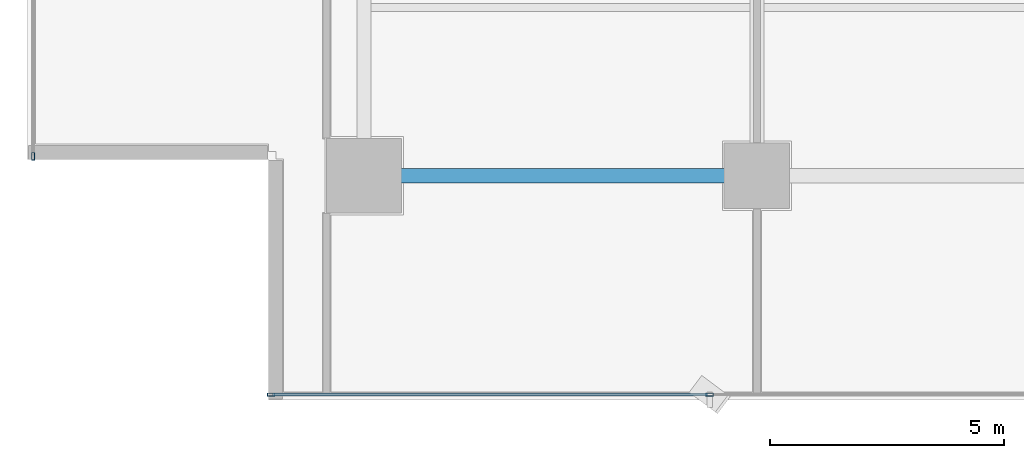
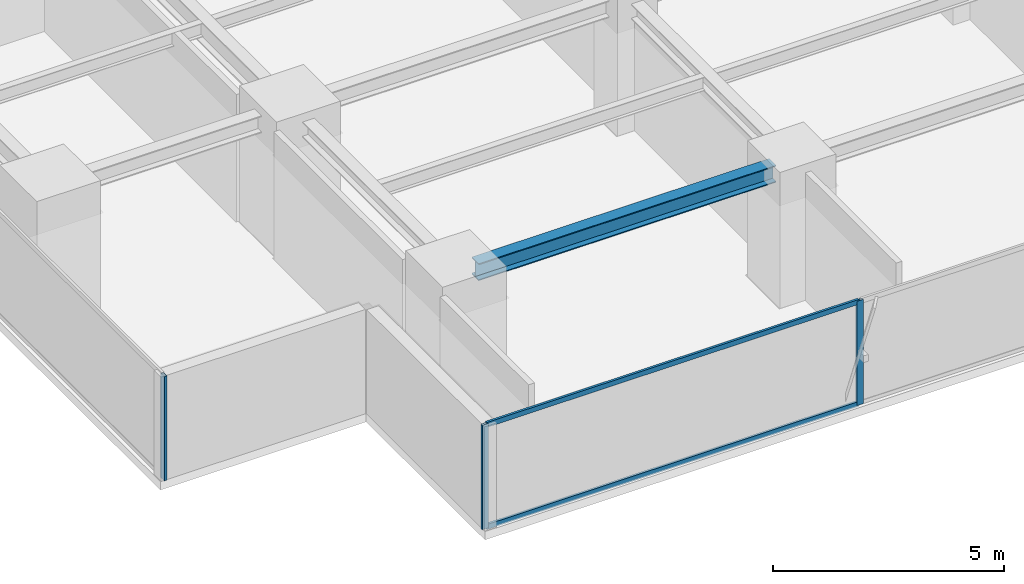
# One storey, part 2 of 28: 5 members, 1 beam, 2 elements without a shape of their own.
"""IFC4 building model written with IfcOpenShell, lengths in metres."""

from ifc_helpers import new_model, si_unit, direction, frame, origin, origin_2d, place, context, subcontext, project, spatial, hollow_rectangle, i_section, extrude, source, transform, mapped, material, layer, layer_set, material_profile, profile_set, type_object, element, aggregate, save


model = new_model("IFC4")

# Units and contexts
model_context = context("Model", 3, precision=1e-05, world=origin(), true_north=direction((0.0, 1.0)))
body_context = subcontext(model_context, "Body", "Model", "MODEL_VIEW")
ifc_project = project(units=[si_unit("LENGTHUNIT", "METRE"), si_unit("AREAUNIT", "SQUARE_METRE"), si_unit("VOLUMEUNIT", "CUBIC_METRE"), si_unit("PLANEANGLEUNIT", "RADIAN"), si_unit("MASSUNIT", "GRAM", prefix="KILO")], contexts=[model_context])

# Site, building, storey
site_placement = place(None, origin())
site = spatial("IfcSite", under=ifc_project, at=site_placement, CompositionType="ELEMENT")
building_placement = place(site_placement, origin())
building = spatial("IfcBuilding", under=site, at=building_placement, Name="Sumidabori Civic Tower", CompositionType="ELEMENT")
storey_placement = place(building_placement, frame((0.0, 0.0, 146.0)))
storey = spatial("IfcBuildingStorey", under=building, at=storey_placement, Name="L37", CompositionType="ELEMENT", Elevation=146.0)

# Beam
ifc_material_1 = material(Name="Steel SN490", Category="steel")
ifc_material_profile_1 = material_profile(ifc_material_1, i_section(OverallWidth=0.300048828125, OverallDepth=0.449951171875, WebThickness=0.013916015625, FlangeThickness=0.02587890625, at=origin_2d()), Name="HE 450 B")
ifc_profile_set_1 = profile_set([ifc_material_profile_1], Name="Steel SN490")
beam_type = type_object("IfcBeamType", Name="BM-GIRD-450", PredefinedType="BEAM", material=ifc_profile_set_1)
shared_shape_1 = source(origin(), body_context, "Body", "SweptSolid", [
    extrude(i_section(OverallWidth=0.300048828125, OverallDepth=0.449951171875, WebThickness=0.013916015625, FlangeThickness=0.02587890625, at=origin_2d()), origin(), (0.0, 0.0, 1.0), 7.440185546875),
])
beam_placement = place(storey_placement, frame((-16.320068359375, -18.0, 3.155029296875), z_axis=(1.0, 0.0, 0.0), x_axis=(0.0, 1.0, 0.0)))
element("IfcBeam", 1, at=beam_placement, inside=storey, type_object=beam_type, Name="Primary Girder L37 GX-01", PredefinedType="BEAM", context=body_context, shape_type="MappedRepresentation", body=[
    mapped(shared_shape_1, transform((0.0, 0.0, 0.0), x_axis=(1.0, 0.0, 0.0), y_axis=(0.0, 1.0, 0.0), z_axis=(0.0, 0.0, 1.0), scale=1.0)),
])

# Curtain wall, members
ifc_material_2 = material(Name="Anodised Bronze Aluminium AW-6063-T6", Category="aluminium")
ifc_layer = layer(ifc_material_2, 0.179931640625, Name="Anodised Bronze Aluminium AW-6063-T6")
ifc_layer_set = layer_set([ifc_layer], Name="Anodised Bronze Aluminium AW-6063-T6")
curtain_wall_type = type_object("IfcCurtainWallType", Name="CW-SYS-3", PredefinedType="NOTDEFINED", material=ifc_layer_set)
curtain_wall_1_placement = place(storey_placement, origin())
curtain_wall_1 = element("IfcCurtainWall", 2, at=curtain_wall_1_placement, inside=storey, type_object=curtain_wall_type, Name="Curtain Wall CW:L37:R01", PredefinedType="NOTDEFINED")
ifc_material_profile_2 = material_profile(ifc_material_2, hollow_rectangle(XDim=0.06494140625, YDim=0.159912109375, WallThickness=0.0048828125, at=origin_2d()), Name="ALU MULLION 160x65")
ifc_profile_set_2 = profile_set([ifc_material_profile_2], Name="Anodised Bronze Aluminium AW-6063-T6")
member_type_1 = type_object("IfcMemberType", Name="CW-MUL-160", PredefinedType="MULLION", material=ifc_profile_set_2)
shared_shape_2 = source(origin(), body_context, "Body", "SweptSolid", [
    extrude(hollow_rectangle(XDim=0.06494140625, YDim=0.159912109375, WallThickness=0.0048828125, at=origin_2d()), origin(), (0.0, 0.0, 1.0), 2.760009765625),
])
member_1_placement = place(storey_placement, frame((-18.78759765625, -22.679931640625, 0.0), z_axis=(0.0, 0.0, 1.0), x_axis=(0.0, 1.0, 0.0)))
member_1 = element("IfcMember", 3, at=member_1_placement, type_object=member_type_1, Name="CW-3 mullion 1", PredefinedType="MULLION", context=body_context, shape_type="MappedRepresentation", body=[
    mapped(shared_shape_2, transform((0.0, 0.0, 0.0), x_axis=(1.0, 0.0, 0.0), y_axis=(0.0, 1.0, 0.0), z_axis=(0.0, 0.0, 1.0), scale=1.0)),
])
member_2_placement = place(storey_placement, frame((-9.409912109375, -22.679931640625, 0.0), z_axis=(0.0, 0.0, 1.0), x_axis=(0.0, 1.0, 0.0)))
member_2 = element("IfcMember", 4, at=member_2_placement, type_object=member_type_1, Name="CW-3 mullion 2", PredefinedType="MULLION", context=body_context, shape_type="MappedRepresentation", body=[
    mapped(shared_shape_2, transform((0.0, 0.0, 0.0), x_axis=(1.0, 0.0, 0.0), y_axis=(0.0, 1.0, 0.0), z_axis=(0.0, 0.0, 1.0), scale=1.0)),
])

# Curtain wall, member
curtain_wall_2_placement = place(storey_placement, origin())
curtain_wall_2 = element("IfcCurtainWall", 5, at=curtain_wall_2_placement, inside=storey, type_object=curtain_wall_type, Name="Curtain Wall CW:L37:R10", PredefinedType="NOTDEFINED")
member_3_placement = place(storey_placement, frame((-23.8798828125, -17.58740234375, 0.0), z_axis=(0.0, 0.0, 1.0), x_axis=(1.0, 0.0, 0.0)))
member_3 = element("IfcMember", 6, at=member_3_placement, type_object=member_type_1, Name="CW-3 mullion 5", PredefinedType="MULLION", context=body_context, shape_type="MappedRepresentation", body=[
    mapped(shared_shape_2, transform((0.0, 0.0, 0.0), x_axis=(1.0, 0.0, 0.0), y_axis=(0.0, 1.0, 0.0), z_axis=(0.0, 0.0, 1.0), scale=1.0)),
])
aggregate(curtain_wall_2, [member_3])

# Member
ifc_material_profile_3 = material_profile(ifc_material_2, hollow_rectangle(XDim=0.06005859375, YDim=0.1298828125, WallThickness=0.0048828125, at=origin_2d()), Name="ALU TRANSOM 130x60")
ifc_profile_set_3 = profile_set([ifc_material_profile_3], Name="Anodised Bronze Aluminium AW-6063-T6")
member_type_2 = type_object("IfcMemberType", Name="CW-TRN-130", PredefinedType="USERDEFINED", material=ifc_profile_set_3)
shared_shape_3 = source(origin(), body_context, "Body", "SweptSolid", [
    extrude(hollow_rectangle(XDim=0.06005859375, YDim=0.1298828125, WallThickness=0.0048828125, at=origin_2d()), origin(), (0.0, 0.0, 1.0), 9.3125),
])
member_4_placement = place(storey_placement, frame((-18.7548828125, -22.679931640625, 0.030029296875), z_axis=(1.0, 0.0, 0.0), x_axis=(0.0, 1.0, 0.0)))
member_4 = element("IfcMember", 7, at=member_4_placement, type_object=member_type_2, Name="CW-3 transom 1.1", ObjectType="TRANSOM", PredefinedType="USERDEFINED", context=body_context, shape_type="MappedRepresentation", body=[
    mapped(shared_shape_3, transform((0.0, 0.0, 0.0), x_axis=(1.0, 0.0, 0.0), y_axis=(0.0, 1.0, 0.0), z_axis=(0.0, 0.0, 1.0), scale=1.0)),
])

member_5_placement = place(storey_placement, frame((-18.7548828125, -22.679931640625, 2.72998046875), z_axis=(1.0, 0.0, 0.0), x_axis=(0.0, 1.0, 0.0)))
member_5 = element("IfcMember", 8, at=member_5_placement, type_object=member_type_2, Name="CW-3 transom 1.2", ObjectType="TRANSOM", PredefinedType="USERDEFINED", context=body_context, shape_type="MappedRepresentation", body=[
    mapped(shared_shape_3, transform((0.0, 0.0, 0.0), x_axis=(1.0, 0.0, 0.0), y_axis=(0.0, 1.0, 0.0), z_axis=(0.0, 0.0, 1.0), scale=1.0)),
])

aggregate(curtain_wall_1, [member_1, member_2, member_4, member_5])

save(model, "model.ifc")
